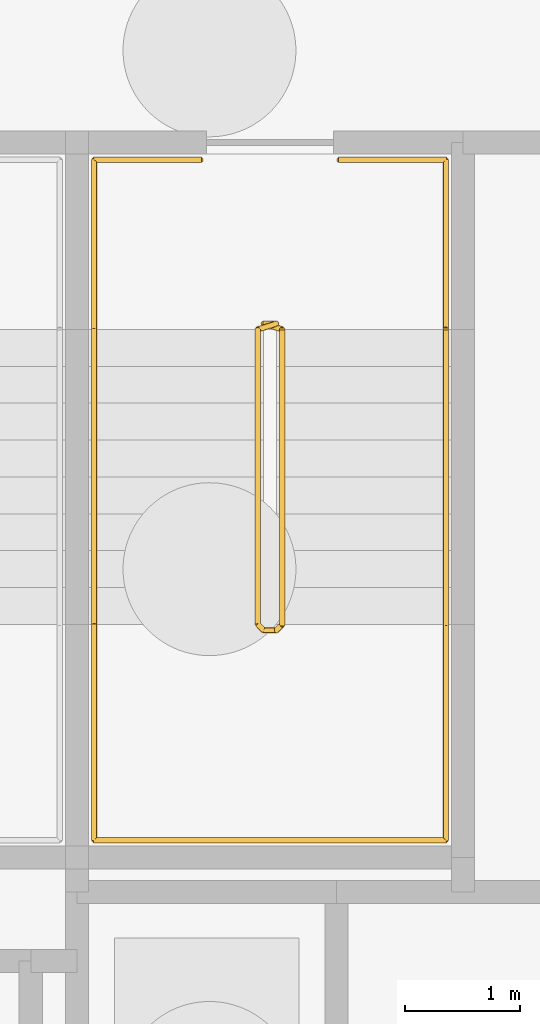
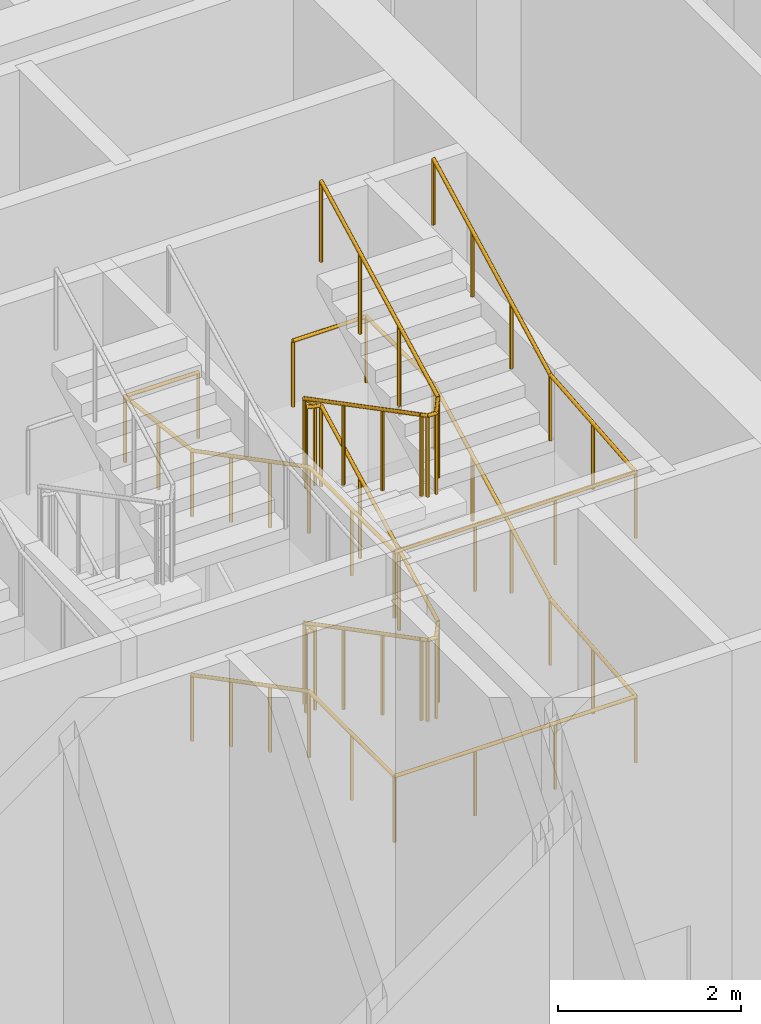
# One storey, part 25 of 26: 3 railings.
"""IFC4 building model written with IfcOpenShell, lengths in metres."""

from ifc_helpers import new_model, si_unit, direction, frame, origin, origin_2d, place, context, subcontext, project, spatial, circle, extrude, material, type_object, element, save


model = new_model("IFC4")

# Units and contexts
model_context = context("Model", 3, precision=1e-05, world=origin(), true_north=direction((0.0, 1.0)))
body_context = subcontext(model_context, "Body", "Model", "MODEL_VIEW")
ifc_project = project(units=[si_unit("LENGTHUNIT", "METRE"), si_unit("AREAUNIT", "SQUARE_METRE"), si_unit("VOLUMEUNIT", "CUBIC_METRE"), si_unit("PLANEANGLEUNIT", "RADIAN"), si_unit("MASSUNIT", "GRAM", prefix="KILO")], contexts=[model_context])

# Site, building, storey
site_placement = place(None, origin())
site = spatial("IfcSite", under=ifc_project, at=site_placement, CompositionType="ELEMENT")
building_placement = place(site_placement, origin())
building = spatial("IfcBuilding", under=site, at=building_placement, Name="Tessera Arch", CompositionType="ELEMENT")
storey_placement = place(building_placement, frame((0.0, 0.0, -6.0)))
storey = spatial("IfcBuildingStorey", under=building, at=storey_placement, Name="B1", CompositionType="ELEMENT", Elevation=-6.0)

# Railings
ifc_material_1 = material(Name="Painted steel balustrade", Category="steel")
railing_type_1 = type_object("IfcRailingType", Name="Stair guard 1100", PredefinedType="GUARDRAIL", material=ifc_material_1)
railing_1_placement = place(storey_placement, frame((44.919921875, 43.6298828125, 0.0)))
element("IfcRailing", 1, at=railing_1_placement, inside=storey, type_object=railing_type_1, Name="B1 S1c stair guard 1", PredefinedType="GUARDRAIL", context=body_context, shape_type="SweptSolid", body=[
    extrude(circle(Radius=0.02392578125, at=origin_2d()), frame((-0.00390625, 0.0, 1.076171875), z_axis=(1.0, 0.0, 0.0), x_axis=(0.0, 1.0, 0.0)), (0.0, 0.0, 1.0), 0.1181640625),
    extrude(circle(Radius=0.02392578125, at=origin_2d()), frame((0.11279296875, 0.000732421875, 1.0732421875), z_axis=(-0.676614622933, -0.210731882562, 0.705538606814), x_axis=(0.297361876254, -0.954764847777, 0.0)), (0.0, 0.0, 1.0), 0.244384765625),
    extrude(circle(Radius=0.02392578125, at=origin_2d()), frame((-0.0498046875, -0.046142578125, 1.240966796875), z_axis=(0.0, -0.886929966286, 0.461903923888), x_axis=(1.0, 0.0, 0.0)), (0.0, 0.0, 1.0), 2.89453125),
    extrude(circle(Radius=0.02392578125, at=origin_2d()), frame((-0.052734375, -2.60693359375, 2.576171875), z_axis=(0.705375805398, -0.708833529934, 0.0), x_axis=(0.708833529934, 0.705375805398, 0.0)), (0.0, 0.0, 1.0), 0.07861328125),
    extrude(circle(Radius=0.02392578125, at=origin_2d()), frame((-0.00390625, -2.659912109375, 2.576171875), z_axis=(1.0, 0.0, 0.0), x_axis=(0.0, 1.0, 0.0)), (0.0, 0.0, 1.0), 0.1181640625),
    extrude(circle(Radius=0.02392578125, at=origin_2d()), frame((0.10888671875, -2.6611328125, 2.572265625), z_axis=(0.27628659633, 0.27628659633, 0.920506074601), x_axis=(-0.707106781187, 0.707106781187, 0.0)), (0.0, 0.0, 1.0), 0.189208984375),
    extrude(circle(Radius=0.02392578125, at=origin_2d()), frame((0.16015625, -2.613525390625, 2.740966796875), z_axis=(0.0, 0.886929966286, 0.461903923888), x_axis=(-1.0, 0.0, 0.0)), (0.0, 0.0, 1.0), 2.89453125),
    extrude(circle(Radius=0.02392578125, at=origin_2d()), frame((0.1640625, -0.051025390625, 4.076171875), z_axis=(-0.954893471113, 0.296948579431, 0.0), x_axis=(-0.296948579431, -0.954893471113, 0.0)), (0.0, 0.0, 1.0), 0.17578125),
    extrude(circle(Radius=0.02392578125, at=origin_2d()), frame((-0.00390625, 0.0, 4.076171875), z_axis=(1.0, 0.0, 0.0), x_axis=(0.0, 1.0, 0.0)), (0.0, 0.0, 1.0), 0.1181640625),
    extrude(circle(Radius=0.02392578125, at=origin_2d()), frame((0.11279296875, 0.000732421875, 4.0732421875), z_axis=(-0.676614622933, -0.210731882562, 0.705538606814), x_axis=(0.297361876254, -0.954764847777, 0.0)), (0.0, 0.0, 1.0), 0.244384765625),
    extrude(circle(Radius=0.02392578125, at=origin_2d()), frame((-0.0498046875, -0.046142578125, 4.240966796875), z_axis=(0.0, -0.886929966286, 0.461903923888), x_axis=(1.0, 0.0, 0.0)), (0.0, 0.0, 1.0), 2.89453125),
    extrude(circle(Radius=0.02392578125, at=origin_2d()), frame((-0.052734375, -2.60693359375, 5.576171875), z_axis=(0.705375805398, -0.708833529934, 0.0), x_axis=(0.708833529934, 0.705375805398, 0.0)), (0.0, 0.0, 1.0), 0.07861328125),
    extrude(circle(Radius=0.02392578125, at=origin_2d()), frame((-0.00390625, -2.659912109375, 5.576171875), z_axis=(1.0, 0.0, 0.0), x_axis=(0.0, 1.0, 0.0)), (0.0, 0.0, 1.0), 0.1181640625),
    extrude(circle(Radius=0.02392578125, at=origin_2d()), frame((0.10888671875, -2.6611328125, 5.572265625), z_axis=(0.27628659633, 0.27628659633, 0.920506074601), x_axis=(-0.707106781187, 0.707106781187, 0.0)), (0.0, 0.0, 1.0), 0.189208984375),
    extrude(circle(Radius=0.02392578125, at=origin_2d()), frame((0.16015625, -2.613525390625, 5.740966796875), z_axis=(0.0, 0.886929966286, 0.461903923888), x_axis=(-1.0, 0.0, 0.0)), (0.0, 0.0, 1.0), 2.89453125),
    extrude(circle(Radius=0.02099609375, at=origin_2d()), origin(), (0.0, 0.0, 1.0), 1.06396484375),
    extrude(circle(Radius=0.02099609375, at=origin_2d()), frame((0.110107421875, 0.0, 0.0)), (0.0, 0.0, 1.0), 1.06396484375),
    extrude(circle(Radius=0.02099609375, at=origin_2d()), frame((-0.0498046875, -0.0498046875, 0.166748046875)), (0.0, 0.0, 1.0), 1.06396484375),
    extrude(circle(Radius=0.02099609375, at=origin_2d()), frame((-0.0498046875, -0.903076171875, 0.611083984375)), (0.0, 0.0, 1.0), 1.06396484375),
    extrude(circle(Radius=0.02099609375, at=origin_2d()), frame((-0.0498046875, -1.756591796875, 1.0556640625)), (0.0, 0.0, 1.0), 1.06396484375),
    extrude(circle(Radius=0.02099609375, at=origin_2d()), frame((-0.0498046875, -2.60986328125, 1.5)), (0.0, 0.0, 1.0), 1.06396484375),
    extrude(circle(Radius=0.02099609375, at=origin_2d()), frame((0.0, -2.659912109375, 1.5)), (0.0, 0.0, 1.0), 1.06396484375),
    extrude(circle(Radius=0.02099609375, at=origin_2d()), frame((0.110107421875, -2.659912109375, 1.5)), (0.0, 0.0, 1.0), 1.06396484375),
    extrude(circle(Radius=0.02099609375, at=origin_2d()), frame((0.16015625, -2.60986328125, 1.666748046875)), (0.0, 0.0, 1.0), 1.06396484375),
    extrude(circle(Radius=0.02099609375, at=origin_2d()), frame((0.16015625, -1.756591796875, 2.111083984375)), (0.0, 0.0, 1.0), 1.06396484375),
    extrude(circle(Radius=0.02099609375, at=origin_2d()), frame((0.16015625, -0.903076171875, 2.5556640625)), (0.0, 0.0, 1.0), 1.06396484375),
    extrude(circle(Radius=0.02099609375, at=origin_2d()), frame((0.16015625, -0.0498046875, 3.0)), (0.0, 0.0, 1.0), 1.06396484375),
    extrude(circle(Radius=0.02099609375, at=origin_2d()), frame((0.0, 0.0, 3.0)), (0.0, 0.0, 1.0), 1.06396484375),
    extrude(circle(Radius=0.02099609375, at=origin_2d()), frame((0.110107421875, 0.0, 3.0)), (0.0, 0.0, 1.0), 1.06396484375),
    extrude(circle(Radius=0.02099609375, at=origin_2d()), frame((-0.0498046875, -0.0498046875, 3.166748046875)), (0.0, 0.0, 1.0), 1.06396484375),
    extrude(circle(Radius=0.02099609375, at=origin_2d()), frame((-0.0498046875, -0.903076171875, 3.611083984375)), (0.0, 0.0, 1.0), 1.06396484375),
    extrude(circle(Radius=0.02099609375, at=origin_2d()), frame((-0.0498046875, -1.756591796875, 4.0556640625)), (0.0, 0.0, 1.0), 1.06396484375),
    extrude(circle(Radius=0.02099609375, at=origin_2d()), frame((-0.0498046875, -2.60986328125, 4.5)), (0.0, 0.0, 1.0), 1.06396484375),
    extrude(circle(Radius=0.02099609375, at=origin_2d()), frame((0.0, -2.659912109375, 4.5)), (0.0, 0.0, 1.0), 1.06396484375),
    extrude(circle(Radius=0.02099609375, at=origin_2d()), frame((0.110107421875, -2.659912109375, 4.5)), (0.0, 0.0, 1.0), 1.06396484375),
    extrude(circle(Radius=0.02099609375, at=origin_2d()), frame((0.16015625, -2.60986328125, 4.666748046875)), (0.0, 0.0, 1.0), 1.06396484375),
    extrude(circle(Radius=0.02099609375, at=origin_2d()), frame((0.16015625, -1.756591796875, 5.111083984375)), (0.0, 0.0, 1.0), 1.06396484375),
    extrude(circle(Radius=0.02099609375, at=origin_2d()), frame((0.16015625, -0.903076171875, 5.5556640625)), (0.0, 0.0, 1.0), 1.06396484375),
    extrude(circle(Radius=0.02099609375, at=origin_2d()), frame((0.16015625, -0.0498046875, 6.0)), (0.0, 0.0, 1.0), 1.06396484375),
])
ifc_material_2 = material(Name="Painted steel handrail", Category="steel")
railing_type_2 = type_object("IfcRailingType", Name="Stair handrail 900", PredefinedType="HANDRAIL", material=ifc_material_2)
railing_2_placement = place(storey_placement, frame((43.449951171875, 43.580078125, 0.166748046875)))
element("IfcRailing", 2, at=railing_2_placement, inside=storey, type_object=railing_type_2, Name="B1 S1c stair handrail", PredefinedType="HANDRAIL", context=body_context, shape_type="SweptSolid", body=[
    extrude(circle(Radius=0.02392578125, at=origin_2d()), frame((0.0, 0.003662109375, 0.8740234375), z_axis=(0.0, -0.886929966286, 0.461903923888), x_axis=(1.0, 0.0, 0.0)), (0.0, 0.0, 1.0), 2.89453125),
    extrude(circle(Radius=0.02392578125, at=origin_2d()), frame((0.0, -2.55615234375, 2.208984375), z_axis=(0.0, -1.0, 0.0), x_axis=(1.0, 0.0, 0.0)), (0.0, 0.0, 1.0), 1.878173828125),
    extrude(circle(Radius=0.02392578125, at=origin_2d()), frame((-0.00390625, -4.43017578125, 2.208984375), z_axis=(1.0, 0.0, 0.0), x_axis=(0.0, 1.0, 0.0)), (0.0, 0.0, 1.0), 3.05810546875),
    extrude(circle(Radius=0.02392578125, at=origin_2d()), frame((3.050048828125, -4.43408203125, 2.208740234375), z_axis=(0.0, 0.996048393597, 0.088812147889), x_axis=(-1.0, 0.0, 0.0)), (0.0, 0.0, 1.0), 1.885498046875),
    extrude(circle(Radius=0.02392578125, at=origin_2d()), frame((3.050048828125, -2.563720703125, 2.3740234375), z_axis=(0.0, 0.886929966286, 0.461903923888), x_axis=(-1.0, 0.0, 0.0)), (0.0, 0.0, 1.0), 2.89453125),
    extrude(circle(Radius=0.02392578125, at=origin_2d()), frame((3.050048828125, -0.00390625, 3.708984375), z_axis=(0.0, 1.0, 0.0), x_axis=(-1.0, 0.0, 0.0)), (0.0, 0.0, 1.0), 1.47802734375),
    extrude(circle(Radius=0.02392578125, at=origin_2d()), frame((3.053955078125, 1.469970703125, 3.708984375), z_axis=(-1.0, 0.0, 0.0), x_axis=(0.0, -1.0, 0.0)), (0.0, 0.0, 1.0), 0.93310546875),
    extrude(circle(Radius=0.02099609375, at=origin_2d()), origin(), (0.0, 0.0, 1.0), 0.86376953125),
    extrude(circle(Radius=0.02099609375, at=origin_2d()), frame((0.0, -0.853271484375, 0.4443359375)), (0.0, 0.0, 1.0), 0.86376953125),
    extrude(circle(Radius=0.02099609375, at=origin_2d()), frame((0.0, -1.706787109375, 0.888916015625)), (0.0, 0.0, 1.0), 0.86376953125),
    extrude(circle(Radius=0.02099609375, at=origin_2d()), frame((0.0, -2.56005859375, 1.333251953125)), (0.0, 0.0, 1.0), 0.86376953125),
    extrude(circle(Radius=0.02099609375, at=origin_2d()), frame((0.0, -3.4951171875, 1.333251953125)), (0.0, 0.0, 1.0), 0.86376953125),
    extrude(circle(Radius=0.02099609375, at=origin_2d()), frame((0.0, -4.43017578125, 1.333251953125)), (0.0, 0.0, 1.0), 0.86376953125),
    extrude(circle(Radius=0.02099609375, at=origin_2d()), frame((1.0166015625, -4.43017578125, 1.333251953125)), (0.0, 0.0, 1.0), 0.86376953125),
    extrude(circle(Radius=0.02099609375, at=origin_2d()), frame((2.033447265625, -4.43017578125, 1.333251953125)), (0.0, 0.0, 1.0), 0.86376953125),
    extrude(circle(Radius=0.02099609375, at=origin_2d()), frame((3.050048828125, -4.43017578125, 1.333251953125)), (0.0, 0.0, 1.0), 0.86376953125),
    extrude(circle(Radius=0.02099609375, at=origin_2d()), frame((3.050048828125, -3.4951171875, 1.41650390625)), (0.0, 0.0, 1.0), 0.86376953125),
    extrude(circle(Radius=0.02099609375, at=origin_2d()), frame((3.050048828125, -2.56005859375, 1.5)), (0.0, 0.0, 1.0), 0.86376953125),
    extrude(circle(Radius=0.02099609375, at=origin_2d()), frame((3.050048828125, -1.706787109375, 1.9443359375)), (0.0, 0.0, 1.0), 0.86376953125),
    extrude(circle(Radius=0.02099609375, at=origin_2d()), frame((3.050048828125, -0.853271484375, 2.388916015625)), (0.0, 0.0, 1.0), 0.86376953125),
    extrude(circle(Radius=0.02099609375, at=origin_2d()), frame((3.050048828125, 0.0, 2.833251953125)), (0.0, 0.0, 1.0), 0.86376953125),
    extrude(circle(Radius=0.02099609375, at=origin_2d()), frame((3.050048828125, 0.73486328125, 2.833251953125)), (0.0, 0.0, 1.0), 0.86376953125),
    extrude(circle(Radius=0.02099609375, at=origin_2d()), frame((3.050048828125, 1.469970703125, 2.833251953125)), (0.0, 0.0, 1.0), 0.86376953125),
    extrude(circle(Radius=0.02099609375, at=origin_2d()), frame((2.125, 1.469970703125, 2.833251953125)), (0.0, 0.0, 1.0), 0.86376953125),
])
railing_3_placement = place(storey_placement, frame((44.375, 45.050048828125, 3.0)))
element("IfcRailing", 3, at=railing_3_placement, inside=storey, type_object=railing_type_2, Name="B1 S1c stair handrail 2", PredefinedType="HANDRAIL", context=body_context, shape_type="SweptSolid", body=[
    extrude(circle(Radius=0.02392578125, at=origin_2d()), frame((0.00390625, 0.0, 0.8759765625), z_axis=(-1.0, 0.0, 0.0), x_axis=(0.0, -1.0, 0.0)), (0.0, 0.0, 1.0), 0.93310546875),
    extrude(circle(Radius=0.02392578125, at=origin_2d()), frame((-0.925048828125, 0.00390625, 0.87548828125), z_axis=(0.0, -0.993627536354, 0.112713437524), x_axis=(1.0, 0.0, 0.0)), (0.0, 0.0, 1.0), 1.4873046875),
    extrude(circle(Radius=0.02392578125, at=origin_2d()), frame((-0.925048828125, -1.46630859375, 1.040771484375), z_axis=(0.0, -0.886929966286, 0.461903923888), x_axis=(1.0, 0.0, 0.0)), (0.0, 0.0, 1.0), 2.89453125),
    extrude(circle(Radius=0.02392578125, at=origin_2d()), frame((-0.925048828125, -4.026123046875, 2.3759765625), z_axis=(0.0, -1.0, 0.0), x_axis=(1.0, 0.0, 0.0)), (0.0, 0.0, 1.0), 1.878173828125),
    extrude(circle(Radius=0.02392578125, at=origin_2d()), frame((-0.928955078125, -5.900146484375, 2.3759765625), z_axis=(1.0, 0.0, 0.0), x_axis=(0.0, 1.0, 0.0)), (0.0, 0.0, 1.0), 3.05810546875),
    extrude(circle(Radius=0.02392578125, at=origin_2d()), frame((2.125, -5.904052734375, 2.37548828125), z_axis=(0.0, 0.996048393597, 0.088812147889), x_axis=(-1.0, 0.0, 0.0)), (0.0, 0.0, 1.0), 1.885498046875),
    extrude(circle(Radius=0.02392578125, at=origin_2d()), frame((2.125, -4.03369140625, 2.540771484375), z_axis=(0.0, 0.886929966286, 0.461903923888), x_axis=(-1.0, 0.0, 0.0)), (0.0, 0.0, 1.0), 2.89453125),
    extrude(circle(Radius=0.02099609375, at=origin_2d()), origin(), (0.0, 0.0, 1.0), 0.86376953125),
    extrude(circle(Radius=0.02099609375, at=origin_2d()), frame((-0.925048828125, 0.0, 0.0)), (0.0, 0.0, 1.0), 0.86376953125),
    extrude(circle(Radius=0.02099609375, at=origin_2d()), frame((-0.925048828125, -0.73486328125, 0.08349609375)), (0.0, 0.0, 1.0), 0.86376953125),
    extrude(circle(Radius=0.02099609375, at=origin_2d()), frame((-0.925048828125, -1.469970703125, 0.166748046875)), (0.0, 0.0, 1.0), 0.86376953125),
    extrude(circle(Radius=0.02099609375, at=origin_2d()), frame((-0.925048828125, -2.3232421875, 0.611083984375)), (0.0, 0.0, 1.0), 0.86376953125),
    extrude(circle(Radius=0.02099609375, at=origin_2d()), frame((-0.925048828125, -3.1767578125, 1.0556640625)), (0.0, 0.0, 1.0), 0.86376953125),
    extrude(circle(Radius=0.02099609375, at=origin_2d()), frame((-0.925048828125, -4.030029296875, 1.5)), (0.0, 0.0, 1.0), 0.86376953125),
    extrude(circle(Radius=0.02099609375, at=origin_2d()), frame((-0.925048828125, -4.965087890625, 1.5)), (0.0, 0.0, 1.0), 0.86376953125),
    extrude(circle(Radius=0.02099609375, at=origin_2d()), frame((-0.925048828125, -5.900146484375, 1.5)), (0.0, 0.0, 1.0), 0.86376953125),
    extrude(circle(Radius=0.02099609375, at=origin_2d()), frame((0.091552734375, -5.900146484375, 1.5)), (0.0, 0.0, 1.0), 0.86376953125),
    extrude(circle(Radius=0.02099609375, at=origin_2d()), frame((1.1083984375, -5.900146484375, 1.5)), (0.0, 0.0, 1.0), 0.86376953125),
    extrude(circle(Radius=0.02099609375, at=origin_2d()), frame((2.125, -5.900146484375, 1.5)), (0.0, 0.0, 1.0), 0.86376953125),
    extrude(circle(Radius=0.02099609375, at=origin_2d()), frame((2.125, -4.965087890625, 1.58349609375)), (0.0, 0.0, 1.0), 0.86376953125),
    extrude(circle(Radius=0.02099609375, at=origin_2d()), frame((2.125, -4.030029296875, 1.666748046875)), (0.0, 0.0, 1.0), 0.86376953125),
    extrude(circle(Radius=0.02099609375, at=origin_2d()), frame((2.125, -3.1767578125, 2.111083984375)), (0.0, 0.0, 1.0), 0.86376953125),
    extrude(circle(Radius=0.02099609375, at=origin_2d()), frame((2.125, -2.3232421875, 2.5556640625)), (0.0, 0.0, 1.0), 0.86376953125),
    extrude(circle(Radius=0.02099609375, at=origin_2d()), frame((2.125, -1.469970703125, 3.0)), (0.0, 0.0, 1.0), 0.86376953125),
])

save(model, "model.ifc")
